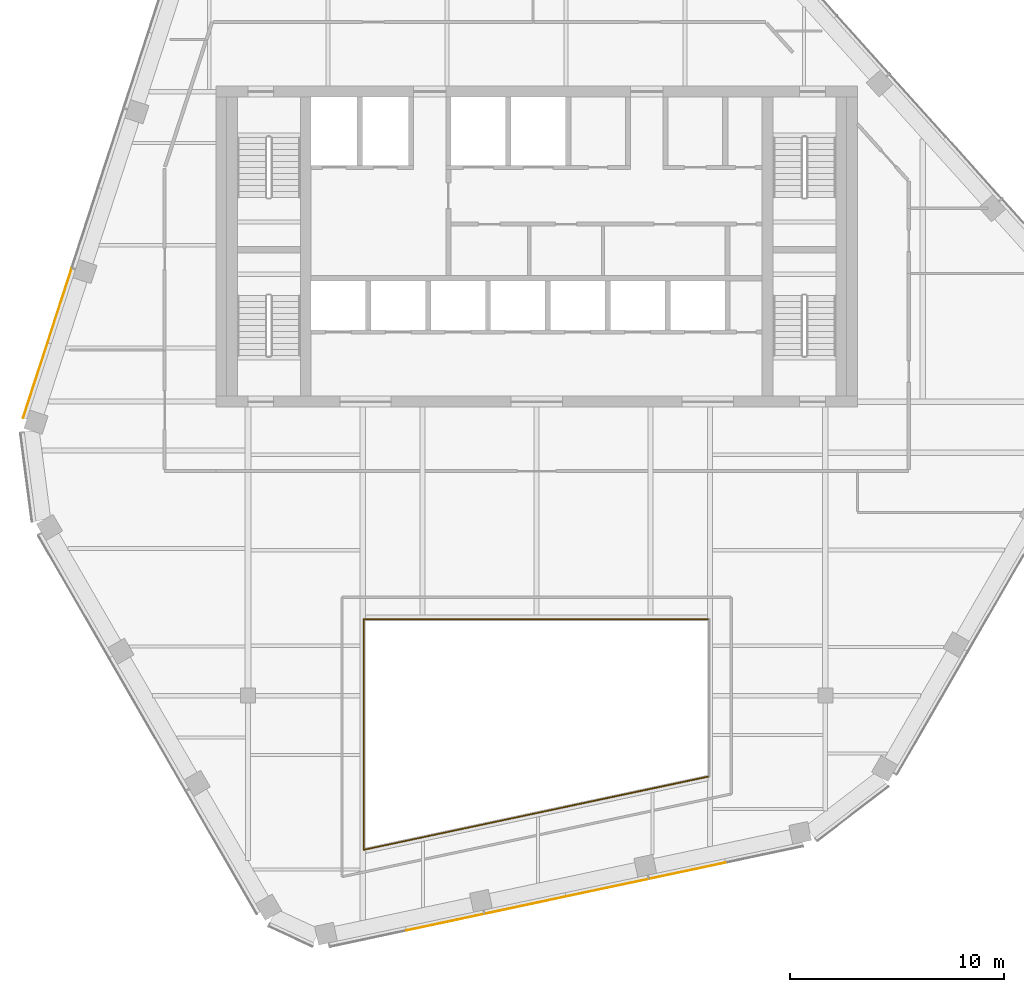
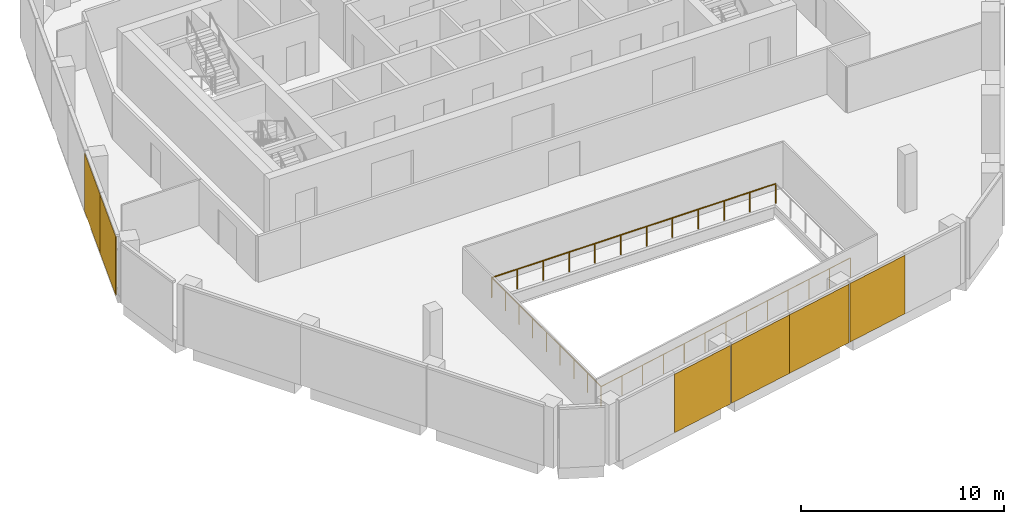
# One storey, part 11 of 15: 6 coverings, 3 railings, 2 elements without a shape of their own.
"""IFC4 building model written with IfcOpenShell, lengths in metres."""

from ifc_helpers import new_model, si_unit, direction, frame, origin, origin_2d, place, context, subcontext, project, spatial, rectangle, circle, extrude, material, layer, layer_set, type_object, element, aggregate, save


model = new_model("IFC4")

# Units and contexts
model_context = context("Model", 3, precision=1e-05, world=origin(), true_north=direction((0.0, 1.0)))
body_context = subcontext(model_context, "Body", "Model", "MODEL_VIEW")
ifc_project = project(units=[si_unit("LENGTHUNIT", "METRE"), si_unit("AREAUNIT", "SQUARE_METRE"), si_unit("VOLUMEUNIT", "CUBIC_METRE"), si_unit("PLANEANGLEUNIT", "RADIAN"), si_unit("MASSUNIT", "GRAM", prefix="KILO")], contexts=[model_context])

# Site, building, storey
site_placement = place(None, origin())
site = spatial("IfcSite", under=ifc_project, at=site_placement, CompositionType="ELEMENT")
building_placement = place(site_placement, origin())
building = spatial("IfcBuilding", under=site, at=building_placement, Name="Isthmus Gate Tower", CompositionType="ELEMENT")
storey_placement = place(building_placement, frame((0.0, 0.0, 268.25)))
storey = spatial("IfcBuildingStorey", under=building, at=storey_placement, Name="L68", CompositionType="ELEMENT", Elevation=268.25)

# Railings
ifc_material_1 = material(Name="Laminated toughened glass balustrade with steel rail", Category="steel")
railing_type = type_object("IfcRailingType", Name="ATRIUM GUARD GLASS BALUSTRADE 1200", PredefinedType="GUARDRAIL", material=ifc_material_1)
railing_1_placement = place(storey_placement, frame((-8.080078125, -20.7099609375, 0.0)))
element("IfcRailing", 1, at=railing_1_placement, inside=storey, type_object=railing_type, Name="L68 atrium guard", PredefinedType="GUARDRAIL", context=body_context, shape_type="SweptSolid", body=[
    extrude(circle(Radius=0.02490234375, at=origin_2d()), frame((0.0, 0.0, 1.1748046875), z_axis=(0.0, 1.0, 0.0), x_axis=(-1.0, 0.0, 0.0)), (0.0, 0.0, 1.0), 10.7900390625),
    extrude(circle(Radius=0.02490234375, at=origin_2d()), origin(), (0.0, 0.0, 1.0), 1.14990234375),
    extrude(circle(Radius=0.02490234375, at=origin_2d()), frame((0.0, 1.3486328125, 0.0)), (0.0, 0.0, 1.0), 1.14990234375),
    extrude(circle(Radius=0.02490234375, at=origin_2d()), frame((0.0, 2.697509765625, 0.0)), (0.0, 0.0, 1.0), 1.14990234375),
    extrude(circle(Radius=0.02490234375, at=origin_2d()), frame((0.0, 4.04638671875, 0.0)), (0.0, 0.0, 1.0), 1.14990234375),
    extrude(circle(Radius=0.02490234375, at=origin_2d()), frame((0.0, 5.39501953125, 0.0)), (0.0, 0.0, 1.0), 1.14990234375),
    extrude(circle(Radius=0.02490234375, at=origin_2d()), frame((0.0, 6.74365234375, 0.0)), (0.0, 0.0, 1.0), 1.14990234375),
    extrude(circle(Radius=0.02490234375, at=origin_2d()), frame((0.0, 8.092529296875, 0.0)), (0.0, 0.0, 1.0), 1.14990234375),
    extrude(circle(Radius=0.02490234375, at=origin_2d()), frame((0.0, 9.44140625, 0.0)), (0.0, 0.0, 1.0), 1.14990234375),
    extrude(circle(Radius=0.02490234375, at=origin_2d()), frame((0.0, 10.7900390625, 0.0)), (0.0, 0.0, 1.0), 1.14990234375),
])
railing_2_placement = place(storey_placement, frame((-8.080078125, -9.919921875, 0.0)))
element("IfcRailing", 2, at=railing_2_placement, inside=storey, type_object=railing_type, Name="L68 atrium guard", PredefinedType="GUARDRAIL", context=body_context, shape_type="SweptSolid", body=[
    extrude(circle(Radius=0.02490234375, at=origin_2d()), frame((0.0, 0.0, 1.1748046875), z_axis=(1.0, 0.0, 0.0), x_axis=(0.0, 1.0, 0.0)), (0.0, 0.0, 1.0), 16.16015625),
    extrude(circle(Radius=0.02490234375, at=origin_2d()), origin(), (0.0, 0.0, 1.0), 1.14990234375),
    extrude(circle(Radius=0.02490234375, at=origin_2d()), frame((1.468994140625, 0.0, 0.0)), (0.0, 0.0, 1.0), 1.14990234375),
    extrude(circle(Radius=0.02490234375, at=origin_2d()), frame((2.938232421875, 0.0, 0.0)), (0.0, 0.0, 1.0), 1.14990234375),
    extrude(circle(Radius=0.02490234375, at=origin_2d()), frame((4.4072265625, 0.0, 0.0)), (0.0, 0.0, 1.0), 1.14990234375),
    extrude(circle(Radius=0.02490234375, at=origin_2d()), frame((5.87646484375, 0.0, 0.0)), (0.0, 0.0, 1.0), 1.14990234375),
    extrude(circle(Radius=0.02490234375, at=origin_2d()), frame((7.345458984375, 0.0, 0.0)), (0.0, 0.0, 1.0), 1.14990234375),
    extrude(circle(Radius=0.02490234375, at=origin_2d()), frame((8.814697265625, 0.0, 0.0)), (0.0, 0.0, 1.0), 1.14990234375),
    extrude(circle(Radius=0.02490234375, at=origin_2d()), frame((10.28369140625, 0.0, 0.0)), (0.0, 0.0, 1.0), 1.14990234375),
    extrude(circle(Radius=0.02490234375, at=origin_2d()), frame((11.7529296875, 0.0, 0.0)), (0.0, 0.0, 1.0), 1.14990234375),
    extrude(circle(Radius=0.02490234375, at=origin_2d()), frame((13.221923828125, 0.0, 0.0)), (0.0, 0.0, 1.0), 1.14990234375),
    extrude(circle(Radius=0.02490234375, at=origin_2d()), frame((14.691162109375, 0.0, 0.0)), (0.0, 0.0, 1.0), 1.14990234375),
    extrude(circle(Radius=0.02490234375, at=origin_2d()), frame((16.16015625, 0.0, 0.0)), (0.0, 0.0, 1.0), 1.14990234375),
])
railing_3_placement = place(storey_placement, frame((8.080078125, -17.27490234375, 0.0)))
element("IfcRailing", 3, at=railing_3_placement, inside=storey, type_object=railing_type, Name="L68 atrium guard", PredefinedType="GUARDRAIL", context=body_context, shape_type="SweptSolid", body=[
    extrude(circle(Radius=0.02490234375, at=origin_2d()), frame((0.0, 0.0, 1.1748046875), z_axis=(-0.978146230105, -0.207918139013, 0.0), x_axis=(0.207918139013, -0.978146230105, 0.0)), (0.0, 0.0, 1.0), 16.521240234375),
    extrude(circle(Radius=0.02490234375, at=origin_2d()), origin(), (0.0, 0.0, 1.0), 1.14990234375),
    extrude(circle(Radius=0.02490234375, at=origin_2d()), frame((-1.3466796875, -0.2861328125, 0.0)), (0.0, 0.0, 1.0), 1.14990234375),
    extrude(circle(Radius=0.02490234375, at=origin_2d()), frame((-2.693359375, -0.572509765625, 0.0)), (0.0, 0.0, 1.0), 1.14990234375),
    extrude(circle(Radius=0.02490234375, at=origin_2d()), frame((-4.0400390625, -0.85888671875, 0.0)), (0.0, 0.0, 1.0), 1.14990234375),
    extrude(circle(Radius=0.02490234375, at=origin_2d()), frame((-5.38671875, -1.14501953125, 0.0)), (0.0, 0.0, 1.0), 1.14990234375),
    extrude(circle(Radius=0.02490234375, at=origin_2d()), frame((-6.7333984375, -1.43115234375, 0.0)), (0.0, 0.0, 1.0), 1.14990234375),
    extrude(circle(Radius=0.02490234375, at=origin_2d()), frame((-8.080078125, -1.717529296875, 0.0)), (0.0, 0.0, 1.0), 1.14990234375),
    extrude(circle(Radius=0.02490234375, at=origin_2d()), frame((-9.4267578125, -2.00390625, 0.0)), (0.0, 0.0, 1.0), 1.14990234375),
    extrude(circle(Radius=0.02490234375, at=origin_2d()), frame((-10.7734375, -2.2900390625, 0.0)), (0.0, 0.0, 1.0), 1.14990234375),
    extrude(circle(Radius=0.02490234375, at=origin_2d()), frame((-12.1201171875, -2.576171875, 0.0)), (0.0, 0.0, 1.0), 1.14990234375),
    extrude(circle(Radius=0.02490234375, at=origin_2d()), frame((-13.466796875, -2.862548828125, 0.0)), (0.0, 0.0, 1.0), 1.14990234375),
    extrude(circle(Radius=0.02490234375, at=origin_2d()), frame((-14.8134765625, -3.14892578125, 0.0)), (0.0, 0.0, 1.0), 1.14990234375),
    extrude(circle(Radius=0.02490234375, at=origin_2d()), frame((-16.16015625, -3.43505859375, 0.0)), (0.0, 0.0, 1.0), 1.14990234375),
])

# Curtain wall, coverings
ifc_material_2 = material(Name="Aluminium, pale champagne anodised", Category="aluminium")
ifc_layer_1 = layer(ifc_material_2, 0.199951171875)
ifc_layer_set_1 = layer_set([ifc_layer_1], Name="CW-1 UNITISED CURTAIN WALL 200 DEEP")
curtain_wall_type = type_object("IfcCurtainWallType", Name="CW-1 UNITISED CURTAIN WALL 200 DEEP", PredefinedType="NOTDEFINED", material=ifc_layer_set_1)
curtain_wall_1_placement = place(storey_placement, origin())
curtain_wall_1 = element("IfcCurtainWall", 4, at=curtain_wall_1_placement, inside=storey, type_object=curtain_wall_type, Name="CW-1 NW L68", PredefinedType="NOTDEFINED")
ifc_material_3 = material(Name="Aluminium composite panel, pale champagne anodised", Category="aluminium")
ifc_layer_2 = layer(ifc_material_3, 0.031982421875)
ifc_layer_set_2 = layer_set([ifc_layer_2], Name="CW-1 PALE METAL PANEL 32")
covering_type = type_object("IfcCoveringType", Name="CW-1 PALE METAL PANEL 32", PredefinedType="CLADDING", material=ifc_layer_set_2)
covering_1_placement = place(storey_placement, frame((-22.309326171875, 4.737548828125, 0.0), z_axis=(0.0, 0.0, 1.0), x_axis=(-0.309016994375, -0.951056516295, 0.0)))
covering_1 = element("IfcCovering", 5, at=covering_1_placement, type_object=covering_type, Name="CW-1 pale metal panel", PredefinedType="CLADDING", context=body_context, shape_type="SweptSolid", body=[
    extrude(rectangle(XDim=3.643310546875, YDim=0.031982421875, at=origin_2d()), origin(), (0.0, 0.0, 1.0), 3.52001953125),
])
covering_2_placement = place(storey_placement, frame((-23.4443359375, 1.244140625, 0.0), z_axis=(0.0, 0.0, 1.0), x_axis=(-0.309016994375, -0.951056516295, 0.0)))
covering_2 = element("IfcCovering", 6, at=covering_2_placement, type_object=covering_type, Name="CW-1 pale metal panel", PredefinedType="CLADDING", context=body_context, shape_type="SweptSolid", body=[
    extrude(rectangle(XDim=3.703369140625, YDim=0.031982421875, at=origin_2d()), origin(), (0.0, 0.0, 1.0), 3.52001953125),
])
aggregate(curtain_wall_1, [covering_1, covering_2])

curtain_wall_2_placement = place(storey_placement, origin())
curtain_wall_2 = element("IfcCurtainWall", 7, at=curtain_wall_2_placement, inside=storey, type_object=curtain_wall_type, Name="CW-1 S L68", PredefinedType="NOTDEFINED")
covering_3_placement = place(storey_placement, frame((-4.28515625, -24.098876953125, 0.0), z_axis=(0.0, 0.0, 1.0), x_axis=(0.978147600734, 0.207911690818, 0.0)))
covering_3 = element("IfcCovering", 8, at=covering_3_placement, type_object=covering_type, Name="CW-1 pale metal panel", PredefinedType="CLADDING", context=body_context, shape_type="SweptSolid", body=[
    extrude(rectangle(XDim=3.703369140625, YDim=0.031982421875, at=origin_2d()), origin(), (0.0, 0.0, 1.0), 3.52001953125),
])
covering_4_placement = place(storey_placement, frame((-0.5234375, -23.29931640625, 0.0), z_axis=(0.0, 0.0, 1.0), x_axis=(0.978147600734, 0.207911690818, 0.0)))
covering_4 = element("IfcCovering", 9, at=covering_4_placement, type_object=covering_type, Name="CW-1 pale metal panel", PredefinedType="CLADDING", context=body_context, shape_type="SweptSolid", body=[
    extrude(rectangle(XDim=3.868408203125, YDim=0.031982421875, at=origin_2d()), origin(), (0.0, 0.0, 1.0), 3.52001953125),
])
covering_5_placement = place(storey_placement, frame((3.289794921875, -22.48876953125, 0.0), z_axis=(0.0, 0.0, 1.0), x_axis=(0.978147600734, 0.207911690818, 0.0)))
covering_5 = element("IfcCovering", 10, at=covering_5_placement, type_object=covering_type, Name="CW-1 pale metal panel", PredefinedType="CLADDING", context=body_context, shape_type="SweptSolid", body=[
    extrude(rectangle(XDim=3.928466796875, YDim=0.031982421875, at=origin_2d()), origin(), (0.0, 0.0, 1.0), 3.52001953125),
])
covering_6_placement = place(storey_placement, frame((7.0517578125, -21.689208984375, 0.0), z_axis=(0.0, 0.0, 1.0), x_axis=(0.978147600734, 0.207911690818, 0.0)))
covering_6 = element("IfcCovering", 11, at=covering_6_placement, type_object=covering_type, Name="CW-1 pale metal panel", PredefinedType="CLADDING", context=body_context, shape_type="SweptSolid", body=[
    extrude(rectangle(XDim=3.643310546875, YDim=0.031982421875, at=origin_2d()), origin(), (0.0, 0.0, 1.0), 3.52001953125),
])
aggregate(curtain_wall_2, [covering_3, covering_4, covering_5, covering_6])

save(model, "model.ifc")
